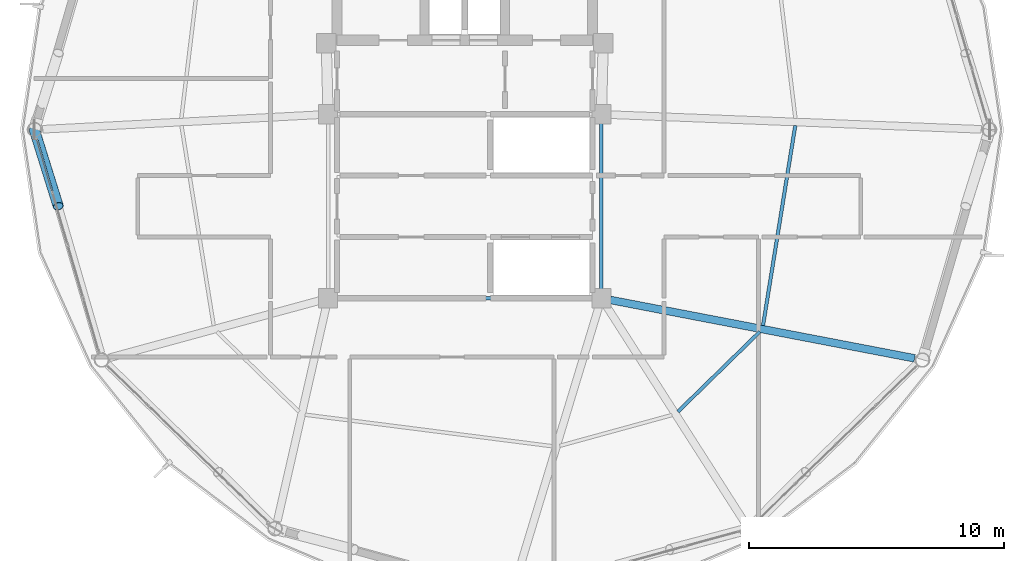
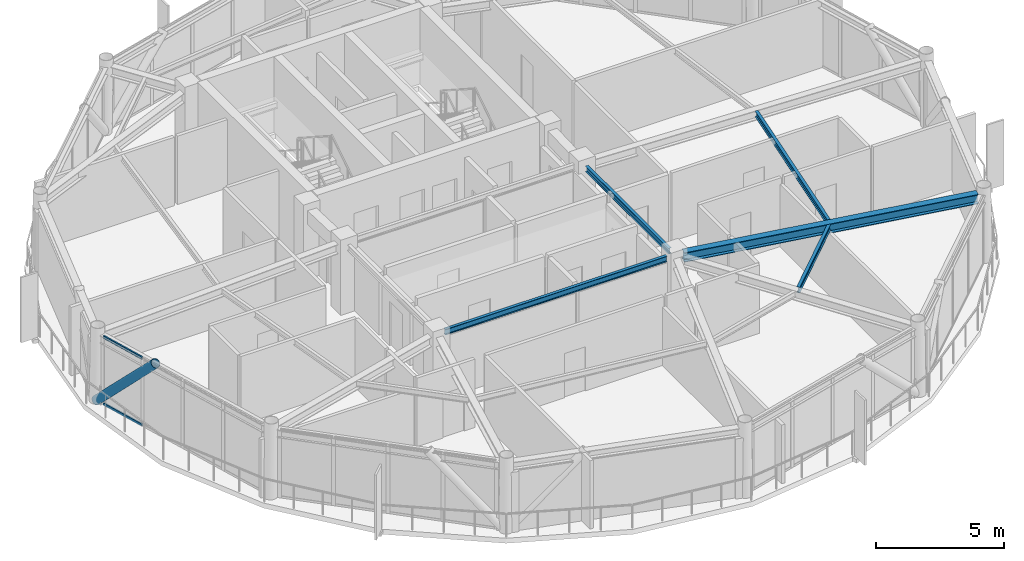
# One storey, part 10 of 28: 5 beams, 3 members, 1 element without a shape of its own.
"""IFC4 building model written with IfcOpenShell, lengths in metres."""

from ifc_helpers import new_model, si_unit, direction, frame, origin, origin_2d, place, context, subcontext, project, spatial, hollow_rectangle, hollow_circle, i_section, extrude, material, layer, layer_set, material_profile, profile_set, type_object, element, aggregate, save


model = new_model("IFC4")

# Units and contexts
model_context = context("Model", 3, precision=1e-05, world=origin(), true_north=direction((0.0, 1.0)))
body_context = subcontext(model_context, "Body", "Model", "MODEL_VIEW")
ifc_project = project(units=[si_unit("LENGTHUNIT", "METRE"), si_unit("AREAUNIT", "SQUARE_METRE"), si_unit("VOLUMEUNIT", "CUBIC_METRE"), si_unit("PLANEANGLEUNIT", "RADIAN"), si_unit("MASSUNIT", "GRAM", prefix="KILO")], contexts=[model_context])

# Site, building, storey
site_placement = place(None, origin())
site = spatial("IfcSite", under=ifc_project, at=site_placement, CompositionType="ELEMENT")
building_placement = place(site_placement, origin())
building = spatial("IfcBuilding", under=site, at=building_placement, Name="Varnakorn Sky Granary", CompositionType="ELEMENT")
storey_placement = place(building_placement, frame((0.0, 0.0, 236.39990234375)))
storey = spatial("IfcBuildingStorey", under=building, at=storey_placement, Name="L60", CompositionType="ELEMENT", Elevation=236.39990234375)

# Beams
ifc_material_1 = material(Name="Steel S355JR", Category="steel")
ifc_material_profile_1 = material_profile(ifc_material_1, i_section(OverallWidth=0.300048828125, OverallDepth=0.449951171875, WebThickness=0.013916015625, FlangeThickness=0.02587890625, at=origin_2d()), Name="HE 450 B")
ifc_profile_set_1 = profile_set([ifc_material_profile_1], Name="Steel S355JR")
beam_type_1 = type_object("IfcBeamType", Name="BM-RAD-Z5", PredefinedType="BEAM", material=ifc_profile_set_1)
beam_1_placement = place(storey_placement, frame((8.698486328125, -6.6669921875, 3.025146484375), z_axis=(0.982077886722, -0.188475527356, 0.0), x_axis=(0.188475527356, 0.982077886722, 0.0)))
element("IfcBeam", 1, at=beam_1_placement, inside=storey, type_object=beam_type_1, Name="Radial Floor Girder RG12 L60", PredefinedType="BEAM", context=body_context, shape_type="SweptSolid", body=[
    extrude(i_section(OverallWidth=0.300048828125, OverallDepth=0.449951171875, WebThickness=0.013916015625, FlangeThickness=0.02587890625, at=origin_2d()), origin(), (0.0, 0.0, 1.0), 12.126953125),
])
ifc_material_profile_2 = material_profile(ifc_material_1, i_section(OverallWidth=0.135009765625, OverallDepth=0.27001953125, WebThickness=0.006591796875, FlangeThickness=0.01025390625, at=origin_2d()), Name="IPE 270")
ifc_profile_set_2 = profile_set([ifc_material_profile_2], Name="Steel S355JR")
beam_type_2 = type_object("IfcBeamType", Name="BM-SEC-Z5", PredefinedType="BEAM", material=ifc_profile_set_2)
beam_2_placement = place(storey_placement, frame((11.3486328125, -11.03662109375, 3.114990234375), z_axis=(0.715505435262, 0.698607165802, 0.0), x_axis=(-0.698607165802, 0.715505435262, 0.0)))
element("IfcBeam", 2, at=beam_2_placement, inside=storey, type_object=beam_type_2, Name="Secondary Floor Chord Beam MSB11 L60", PredefinedType="BEAM", context=body_context, shape_type="SweptSolid", body=[
    extrude(i_section(OverallWidth=0.135009765625, OverallDepth=0.27001953125, WebThickness=0.006591796875, FlangeThickness=0.01025390625, at=origin_2d()), origin(), (0.0, 0.0, 1.0), 4.478759765625),
])
beam_3_placement = place(storey_placement, frame((14.67578125, -7.67138671875, 3.114990234375), z_axis=(0.159181153206, 0.98724939122, 0.0), x_axis=(-0.98724939122, 0.159181153206, 0.0)))
element("IfcBeam", 3, at=beam_3_placement, inside=storey, type_object=beam_type_2, Name="Secondary Floor Chord Beam MSB12 L60", PredefinedType="BEAM", context=body_context, shape_type="SweptSolid", body=[
    extrude(i_section(OverallWidth=0.135009765625, OverallDepth=0.27001953125, WebThickness=0.006591796875, FlangeThickness=0.01025390625, at=origin_2d()), origin(), (0.0, 0.0, 1.0), 7.932373046875),
])
beam_4_placement = place(storey_placement, frame((8.35009765625, 0.2451171875, 3.114990234375), z_axis=(0.0, -1.0, 0.0), x_axis=(1.0, 0.0, 0.0)))
element("IfcBeam", 4, at=beam_4_placement, inside=storey, type_object=beam_type_2, Name="Core Spine Framing Beam 4 L60", PredefinedType="BEAM", context=body_context, shape_type="SweptSolid", body=[
    extrude(i_section(OverallWidth=0.135009765625, OverallDepth=0.27001953125, WebThickness=0.006591796875, FlangeThickness=0.01025390625, at=origin_2d()), origin(), (0.0, 0.0, 1.0), 6.490234375),
])
beam_5_placement = place(storey_placement, frame((-1.9951171875, -6.60009765625, 3.114990234375), z_axis=(1.0, 0.0, 0.0), x_axis=(0.0, 1.0, 0.0)))
element("IfcBeam", 5, at=beam_5_placement, inside=storey, type_object=beam_type_2, Name="Core Spine Framing Beam 6 L60", PredefinedType="BEAM", context=body_context, shape_type="SweptSolid", body=[
    extrude(i_section(OverallWidth=0.135009765625, OverallDepth=0.27001953125, WebThickness=0.006591796875, FlangeThickness=0.01025390625, at=origin_2d()), origin(), (0.0, 0.0, 1.0), 9.990234375),
])

# Curtain wall, members
ifc_material_2 = material(Name="Anodised Bronze Aluminium Alloy 6063-T6", Category="aluminium")
ifc_layer = layer(ifc_material_2, 0.159912109375, Name="Anodised Bronze Aluminium Alloy 6063-T6")
ifc_layer_set = layer_set([ifc_layer], Name="Anodised Bronze Aluminium Alloy 6063-T6")
curtain_wall_type = type_object("IfcCurtainWallType", Name="CW-OFF-1", PredefinedType="USERDEFINED", material=ifc_layer_set)
curtain_wall_placement = place(storey_placement, origin())
curtain_wall = element("IfcCurtainWall", 6, at=curtain_wall_placement, inside=storey, type_object=curtain_wall_type, Name="Unitised Curtain Wall CW6 CW-L60-B07", ObjectType="CURTAIN WALL", PredefinedType="USERDEFINED")
ifc_material_profile_3 = material_profile(ifc_material_2, hollow_rectangle(XDim=0.06494140625, YDim=0.1201171875, WallThickness=0.00341796875, at=origin_2d()), Name="ALU TRAN 65x120")
ifc_profile_set_3 = profile_set([ifc_material_profile_3], Name="Anodised Bronze Aluminium Alloy 6063-T6")
member_type_1 = type_object("IfcMemberType", Name="CW-OFF-1-TRAN", PredefinedType="USERDEFINED", material=ifc_profile_set_3)
member_1_placement = place(storey_placement, frame((-13.154052734375, -2.38671875, 0.03271484375), z_axis=(-0.27921154358, 0.960229615213, 0.0), x_axis=(-0.960229615213, -0.27921154358, 0.0)))
member_1 = element("IfcMember", 7, at=member_1_placement, type_object=member_type_1, Name="CW6 transom 4.1", ObjectType="TRANSOM", PredefinedType="USERDEFINED", context=body_context, shape_type="SweptSolid", body=[
    extrude(hollow_rectangle(XDim=0.06494140625, YDim=0.1201171875, WallThickness=0.00341796875, at=origin_2d()), origin(), (0.0, 0.0, 1.0), 2.0810546875),
])
member_2_placement = place(storey_placement, frame((-13.154052734375, -2.38671875, 3.217529296875), z_axis=(-0.27921154358, 0.960229615213, 0.0), x_axis=(-0.960229615213, -0.27921154358, 0.0)))
member_2 = element("IfcMember", 8, at=member_2_placement, type_object=member_type_1, Name="CW6 transom 4.2", ObjectType="TRANSOM", PredefinedType="USERDEFINED", context=body_context, shape_type="SweptSolid", body=[
    extrude(hollow_rectangle(XDim=0.06494140625, YDim=0.1201171875, WallThickness=0.00341796875, at=origin_2d()), origin(), (0.0, 0.0, 1.0), 2.0810546875),
])
aggregate(curtain_wall, [member_1, member_2])

# Member
ifc_material_3 = material(Name="Steel S460M", Category="steel")
ifc_material_profile_4 = material_profile(ifc_material_3, hollow_circle(Radius=0.203125, WallThickness=0.01611328125, at=origin_2d()), Name="CHS 406.4x16")
ifc_profile_set_4 = profile_set([ifc_material_profile_4], Name="Steel S460M")
member_type_2 = type_object("IfcMemberType", Name="MB-DIAG-T4", PredefinedType="BRACE", material=ifc_profile_set_4)
member_3_placement = place(storey_placement, frame((-13.847900390625, 0.0, 0.0), z_axis=(0.207436711369, -0.663613904071, 0.718739589211), x_axis=(0.954456485156, 0.298350159952, 0.0)))
element("IfcMember", 9, at=member_3_placement, inside=storey, type_object=member_type_2, Name="Perimeter CHS Diagrid Brace DG07 L60", PredefinedType="BRACE", context=body_context, shape_type="SweptSolid", body=[
    extrude(hollow_circle(Radius=0.203125, WallThickness=0.01611328125, at=origin_2d()), origin(), (0.0, 0.0, 1.0), 4.521728515625),
])

save(model, "model.ifc")
